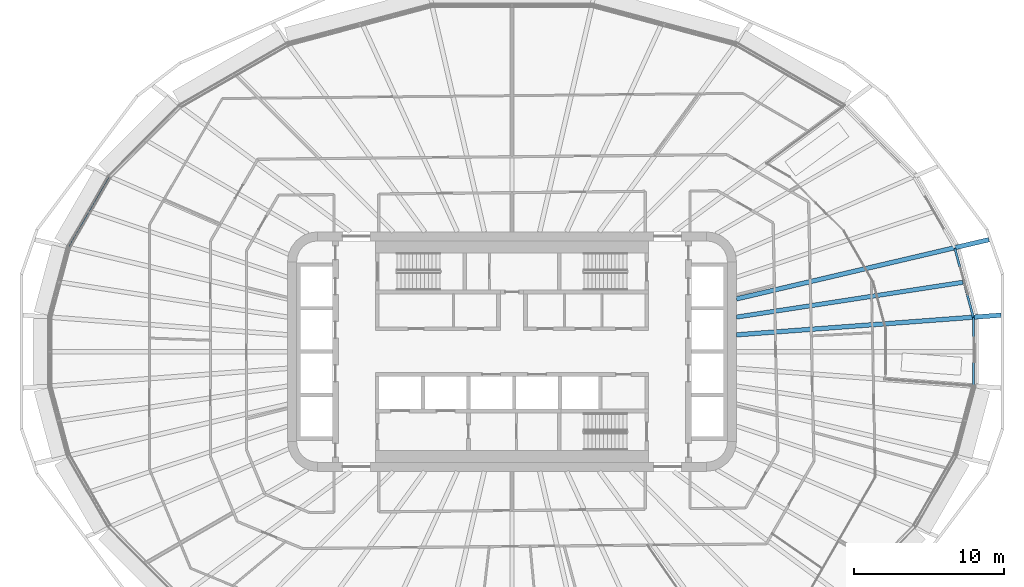
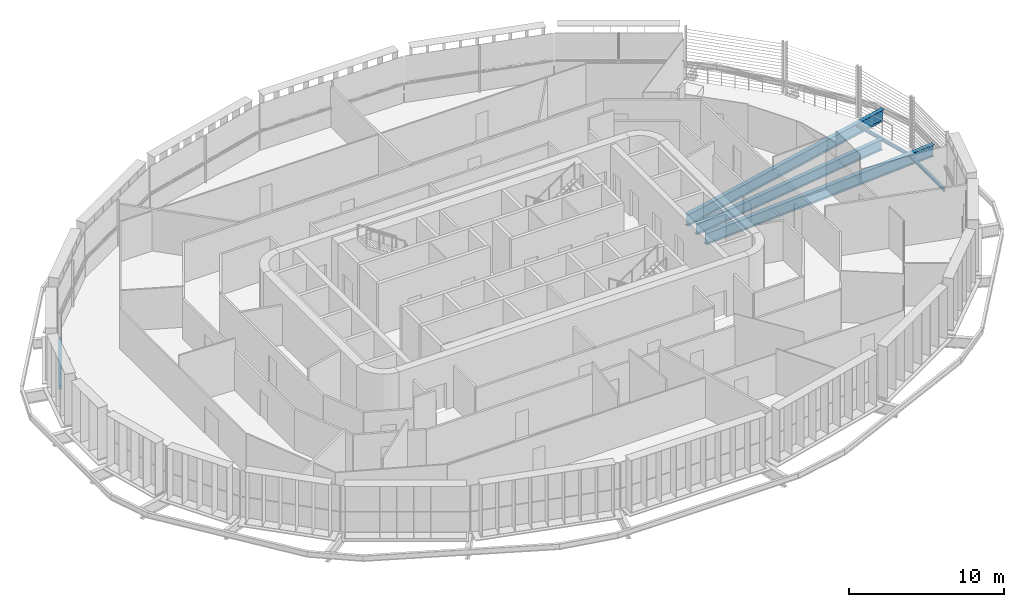
# One storey, part 6 of 24: 6 beams.
"""IFC4 building model written with IfcOpenShell, lengths in metres."""

from ifc_helpers import new_model, si_unit, direction, frame, origin, origin_2d, place, context, subcontext, project, spatial, i_section, extrude, material, material_profile, profile_set, type_object, element, save


model = new_model("IFC4")

# Units and contexts
model_context = context("Model", 3, precision=1e-05, world=origin(), true_north=direction((0.0, 1.0)))
body_context = subcontext(model_context, "Body", "Model", "MODEL_VIEW")
ifc_project = project(units=[si_unit("LENGTHUNIT", "METRE"), si_unit("AREAUNIT", "SQUARE_METRE"), si_unit("VOLUMEUNIT", "CUBIC_METRE"), si_unit("PLANEANGLEUNIT", "RADIAN"), si_unit("MASSUNIT", "GRAM", prefix="KILO")], contexts=[model_context])

# Site, building, storey
site_placement = place(None, origin())
site = spatial("IfcSite", under=ifc_project, at=site_placement, CompositionType="ELEMENT")
building_placement = place(site_placement, origin())
building = spatial("IfcBuilding", under=site, at=building_placement, Name="Sahrelin Media Tower", CompositionType="ELEMENT")
storey_placement = place(building_placement, frame((0.0, 0.0, 67.199951171875)))
storey = spatial("IfcBuildingStorey", under=building, at=storey_placement, Name="L11", CompositionType="ELEMENT", Elevation=67.199951171875)

# Beams
ifc_material = material(Name="Steel S355", Category="steel")
ifc_material_profile_1 = material_profile(ifc_material, i_section(OverallWidth=0.14599609375, OverallDepth=0.25146484375, WebThickness=0.006103515625, FlangeThickness=0.008544921875, FilletRadius=0.007568359375, at=origin_2d()), Name="UB 254x146x31")
ifc_profile_set_1 = profile_set([ifc_material_profile_1], Name="Steel S355")
beam_type_1 = type_object("IfcBeamType", Name="Edge beam EB1", PredefinedType="BEAM", material=ifc_profile_set_1)
beam_1_placement = place(storey_placement, frame((30.829833984375, 2.27490234375, -0.32568359375), z_axis=(0.0, -1.0, 0.0), x_axis=(1.0, 0.0, 0.0)))
element("IfcBeam", 1, at=beam_1_placement, inside=storey, type_object=beam_type_1, Name="Edge beam L11-01", PredefinedType="BEAM", context=body_context, shape_type="SweptSolid", body=[
    extrude(i_section(OverallWidth=0.14599609375, OverallDepth=0.25146484375, WebThickness=0.006103515625, FlangeThickness=0.008544921875, FilletRadius=0.007568359375, at=origin_2d()), origin(), (0.0, 0.0, 1.0), 4.5498046875),
])
beam_2_placement = place(storey_placement, frame((29.593505859375, 6.903564453125, -0.32568359375), z_axis=(0.258798441609, -0.965931346743, 0.0), x_axis=(0.965931346743, 0.258798441609, 0.0)))
element("IfcBeam", 2, at=beam_2_placement, inside=storey, type_object=beam_type_1, Name="Edge beam L11-24", PredefinedType="BEAM", context=body_context, shape_type="SweptSolid", body=[
    extrude(i_section(OverallWidth=0.14599609375, OverallDepth=0.25146484375, WebThickness=0.006103515625, FlangeThickness=0.008544921875, FilletRadius=0.007568359375, at=origin_2d()), origin(), (0.0, 0.0, 1.0), 4.76220703125),
])
ifc_material_profile_2 = material_profile(ifc_material, i_section(OverallWidth=0.1650390625, OverallDepth=0.303466796875, WebThickness=0.006103515625, FlangeThickness=0.01025390625, FilletRadius=0.0087890625, at=origin_2d()), Name="UB 305x165x40")
ifc_profile_set_2 = profile_set([ifc_material_profile_2], Name="Steel S355")
beam_type_2 = type_object("IfcBeamType", Name="Edge beam EB2", PredefinedType="BEAM", material=ifc_profile_set_2)
beam_3_placement = place(storey_placement, frame((-29.58251953125, 6.93017578125, -0.3017578125), z_axis=(0.500016918453, 0.866015635691, 0.0), x_axis=(-0.866015635691, 0.500016918453, 0.0)))
element("IfcBeam", 3, at=beam_3_placement, inside=storey, type_object=beam_type_2, Name="Edge beam L11-15", PredefinedType="BEAM", context=body_context, shape_type="SweptSolid", body=[
    extrude(i_section(OverallWidth=0.1650390625, OverallDepth=0.303466796875, WebThickness=0.006103515625, FlangeThickness=0.01025390625, FilletRadius=0.0087890625, at=origin_2d()), origin(), (0.0, 0.0, 1.0), 5.430419921875),
])
ifc_material_profile_3 = material_profile(ifc_material, i_section(OverallWidth=0.30322265625, OverallDepth=0.903076171875, WebThickness=0.01513671875, FlangeThickness=0.020263671875, FilletRadius=0.01904296875, at=origin_2d()), Name="UB 914x305x201")
ifc_profile_set_3 = profile_set([ifc_material_profile_3], Name="Steel S355")
beam_type_3 = type_object("IfcBeamType", Name="Radial primary beam PB11", PredefinedType="BEAM", material=ifc_profile_set_3)
beam_4_placement = place(storey_placement, frame((15.0, 1.1181640625, -0.6513671875), z_axis=(0.997233545048, 0.074332070001, 0.0), x_axis=(-0.074332070001, 0.997233545048, 0.0)))
element("IfcBeam", 4, at=beam_4_placement, inside=storey, type_object=beam_type_3, Name="Radial beam L11-01", PredefinedType="BEAM", context=body_context, shape_type="SweptSolid", body=[
    extrude(i_section(OverallWidth=0.30322265625, OverallDepth=0.903076171875, WebThickness=0.01513671875, FlangeThickness=0.020263671875, FilletRadius=0.01904296875, at=origin_2d()), origin(), (0.0, 0.0, 1.0), 17.736083984375),
])
beam_5_placement = place(storey_placement, frame((15.0, 3.51953125, -0.6513671875), z_axis=(0.973561266375, 0.228426050648, 0.0), x_axis=(-0.228426050648, 0.973561266375, 0.0)))
element("IfcBeam", 5, at=beam_5_placement, inside=storey, type_object=beam_type_3, Name="Radial beam L11-02", PredefinedType="BEAM", context=body_context, shape_type="SweptSolid", body=[
    extrude(i_section(OverallWidth=0.30322265625, OverallDepth=0.903076171875, WebThickness=0.01513671875, FlangeThickness=0.020263671875, FilletRadius=0.01904296875, at=origin_2d()), origin(), (0.0, 0.0, 1.0), 17.33056640625),
])
ifc_material_profile_4 = material_profile(ifc_material, i_section(OverallWidth=0.291748046875, OverallDepth=0.8349609375, WebThickness=0.013916015625, FlangeThickness=0.018798828125, FilletRadius=0.017822265625, at=origin_2d()), Name="UB 838x292x176")
ifc_profile_set_4 = profile_set([ifc_material_profile_4], Name="Steel S355")
beam_type_4 = type_object("IfcBeamType", Name="Radial secondary beam SB10", PredefinedType="BEAM", material=ifc_profile_set_4)
beam_6_placement = place(storey_placement, frame((15.0, 2.304443359375, -0.617431640625), z_axis=(0.988404316097, 0.151845012829, 0.0), x_axis=(-0.151845012829, 0.988404316097, 0.0)))
element("IfcBeam", 6, at=beam_6_placement, inside=storey, type_object=beam_type_4, Name="Secondary beam L11-01", PredefinedType="BEAM", context=body_context, shape_type="SweptSolid", body=[
    extrude(i_section(OverallWidth=0.291748046875, OverallDepth=0.8349609375, WebThickness=0.013916015625, FlangeThickness=0.018798828125, FilletRadius=0.017822265625, at=origin_2d()), origin(), (0.0, 0.0, 1.0), 15.304931640625),
])

save(model, "model.ifc")
